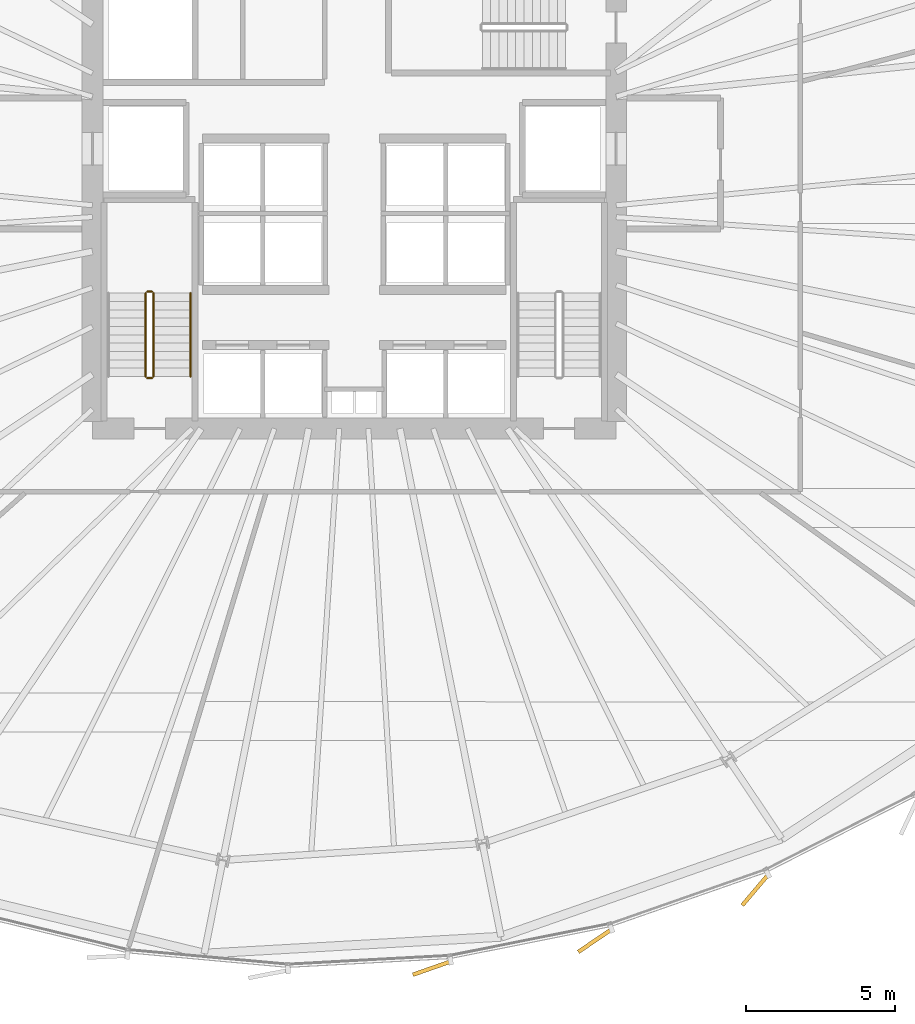
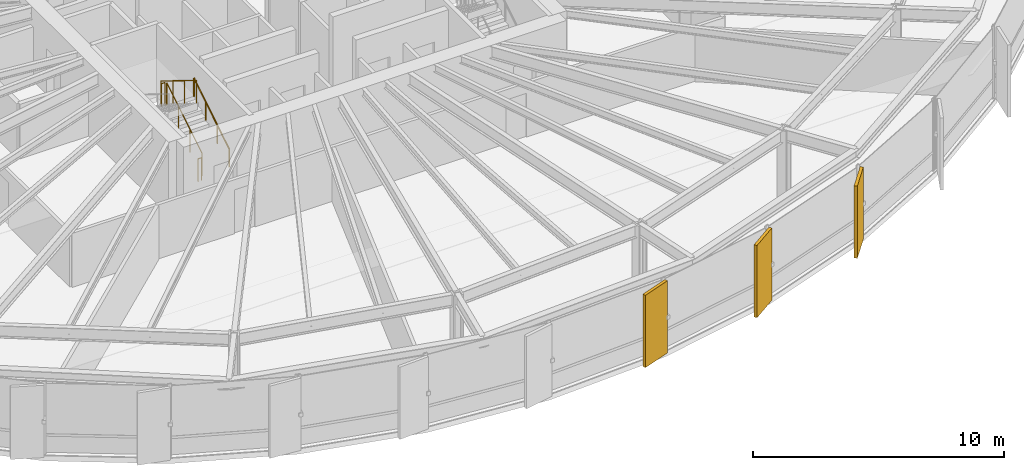
# One storey, part 34 of 37: 5 railings, 3 coverings.
"""IFC4 building model written with IfcOpenShell, lengths in metres."""

from ifc_helpers import new_model, si_unit, direction, frame, origin, origin_2d, place, context, subcontext, project, spatial, rectangle, circle, extrude, source, transform, mapped, material, layer, layer_set, type_object, element, save


model = new_model("IFC4")

# Units and contexts
model_context = context("Model", 3, precision=1e-05, world=origin(), true_north=direction((0.0, 1.0)))
body_context = subcontext(model_context, "Body", "Model", "MODEL_VIEW")
ifc_project = project(units=[si_unit("LENGTHUNIT", "METRE"), si_unit("AREAUNIT", "SQUARE_METRE"), si_unit("VOLUMEUNIT", "CUBIC_METRE"), si_unit("PLANEANGLEUNIT", "RADIAN"), si_unit("MASSUNIT", "GRAM", prefix="KILO"), si_unit("THERMODYNAMICTEMPERATUREUNIT", "KELVIN")], contexts=[model_context])

# Site, building, storey
site_placement = place(None, origin())
site = spatial("IfcSite", under=ifc_project, at=site_placement, CompositionType="ELEMENT")
building_placement = place(site_placement, origin())
building = spatial("IfcBuilding", under=site, at=building_placement, Name="Kethvar Cultural Tower", CompositionType="ELEMENT")
storey_placement = place(building_placement, frame((0.0, 0.0, 60.0)))
storey = spatial("IfcBuildingStorey", under=building, at=storey_placement, Name="L14", CompositionType="ELEMENT", Elevation=60.0)

# Railings
ifc_material_1 = material(Name="Steel S355J2", Category="steel")
railing_type_1 = type_object("IfcRailingType", Name="RL-STAIR-GUARD", PredefinedType="BALUSTRADE", material=ifc_material_1)
railing_1_placement = place(storey_placement, frame((40.050048828125, 21.85009765625, 0.172607421875)))
element("IfcRailing", 1, at=railing_1_placement, inside=storey, type_object=railing_type_1, Name="L14 ST-01 stair guard 1", PredefinedType="BALUSTRADE", context=body_context, shape_type="SweptSolid", body=[
    extrude(circle(Radius=0.02392578125, at=origin_2d()), frame((0.0, 0.0, 1.09619140625), z_axis=(0.0, 0.851069175582, 0.525053576669), x_axis=(-1.0, 0.0, 0.0)), (0.0, 0.0, 1.0), 3.289794921875),
    extrude(circle(Radius=0.02099609375, at=origin_2d()), origin(), (0.0, 0.0, 1.0), 1.072021484375),
    extrude(circle(Radius=0.02099609375, at=origin_2d()), frame((0.0, 0.933349609375, 0.57568359375)), (0.0, 0.0, 1.0), 1.072021484375),
    extrude(circle(Radius=0.02099609375, at=origin_2d()), frame((0.0, 1.866455078125, 1.151611328125)), (0.0, 0.0, 1.0), 1.072021484375),
    extrude(circle(Radius=0.02099609375, at=origin_2d()), frame((0.0, 2.7998046875, 1.727294921875)), (0.0, 0.0, 1.0), 1.072021484375),
])
railing_2_placement = place(storey_placement, frame((40.0, 24.699951171875, 1.89990234375)))
element("IfcRailing", 2, at=railing_2_placement, inside=storey, type_object=railing_type_1, Name="L14 ST-01 stair guard 2", PredefinedType="BALUSTRADE", context=body_context, shape_type="SweptSolid", body=[
    extrude(circle(Radius=0.02392578125, at=origin_2d()), frame((0.0, 0.0, 1.09619140625), z_axis=(-1.0, 0.0, 0.0), x_axis=(0.0, -1.0, 0.0)), (0.0, 0.0, 1.0), 0.159912109375),
    extrude(circle(Radius=0.02099609375, at=origin_2d()), origin(), (0.0, 0.0, 1.0), 1.072021484375),
    extrude(circle(Radius=0.02099609375, at=origin_2d()), frame((-0.159912109375, 0.0, 0.0)), (0.0, 0.0, 1.0), 1.072021484375),
])
railing_3_placement = place(storey_placement, frame((39.7900390625, 24.64990234375, 2.07275390625)))
element("IfcRailing", 3, at=railing_3_placement, inside=storey, type_object=railing_type_1, Name="L14 ST-01 stair guard 3", PredefinedType="BALUSTRADE", context=body_context, shape_type="SweptSolid", body=[
    extrude(circle(Radius=0.02392578125, at=origin_2d()), frame((0.0, 0.0, 1.09619140625), z_axis=(0.0, -0.851069175582, 0.525053576669), x_axis=(1.0, 0.0, 0.0)), (0.0, 0.0, 1.0), 3.289794921875),
    extrude(circle(Radius=0.02099609375, at=origin_2d()), origin(), (0.0, 0.0, 1.0), 1.072021484375),
    extrude(circle(Radius=0.02099609375, at=origin_2d()), frame((0.0, -0.933349609375, 0.57568359375)), (0.0, 0.0, 1.0), 1.072021484375),
    extrude(circle(Radius=0.02099609375, at=origin_2d()), frame((0.0, -1.866455078125, 1.151611328125)), (0.0, 0.0, 1.0), 1.072021484375),
    extrude(circle(Radius=0.02099609375, at=origin_2d()), frame((0.0, -2.7998046875, 1.727294921875)), (0.0, 0.0, 1.0), 1.072021484375),
])
railing_4_placement = place(storey_placement, frame((40.0, 21.800048828125, 0.0)))
element("IfcRailing", 4, at=railing_4_placement, inside=storey, type_object=railing_type_1, Name="L14 ST-01 stair guard 4", PredefinedType="BALUSTRADE", context=body_context, shape_type="SweptSolid", body=[
    extrude(circle(Radius=0.02392578125, at=origin_2d()), frame((0.0, 0.0, 1.09619140625), z_axis=(-1.0, 0.0, 0.0), x_axis=(0.0, -1.0, 0.0)), (0.0, 0.0, 1.0), 0.159912109375),
    extrude(circle(Radius=0.02099609375, at=origin_2d()), origin(), (0.0, 0.0, 1.0), 1.072021484375),
    extrude(circle(Radius=0.02099609375, at=origin_2d()), frame((-0.159912109375, 0.0, 0.0)), (0.0, 0.0, 1.0), 1.072021484375),
])
railing_type_2 = type_object("IfcRailingType", Name="RL-STAIR-HANDRAIL", PredefinedType="HANDRAIL", material=ifc_material_1)
railing_5_placement = place(storey_placement, frame((41.300048828125, 21.85009765625, 0.172607421875)))
element("IfcRailing", 5, at=railing_5_placement, inside=storey, type_object=railing_type_2, Name="L14 ST-01 stair handrail 1", PredefinedType="HANDRAIL", context=body_context, shape_type="SweptSolid", body=[
    extrude(circle(Radius=0.02392578125, at=origin_2d()), frame((0.0, 0.0, 0.8759765625), z_axis=(0.0, 0.851069175582, 0.525053576669), x_axis=(-1.0, 0.0, 0.0)), (0.0, 0.0, 1.0), 3.289794921875),
    extrude(circle(Radius=0.02099609375, at=origin_2d()), origin(), (0.0, 0.0, 1.0), 0.851806640625),
    extrude(circle(Radius=0.02099609375, at=origin_2d()), frame((0.0, 0.933349609375, 0.57568359375)), (0.0, 0.0, 1.0), 0.851806640625),
    extrude(circle(Radius=0.02099609375, at=origin_2d()), frame((0.0, 1.866455078125, 1.151611328125)), (0.0, 0.0, 1.0), 0.851806640625),
    extrude(circle(Radius=0.02099609375, at=origin_2d()), frame((0.0, 2.7998046875, 1.727294921875)), (0.0, 0.0, 1.0), 0.851806640625),
])

# Coverings
ifc_material_2 = material(Name="Extruded Architectural Terracotta", Category="masonry")
ifc_layer = layer(ifc_material_2, 0.135009765625, Name="Extruded Architectural Terracotta", Category="masonry")
ifc_layer_set = layer_set([ifc_layer], Name="Extruded Architectural Terracotta (135 mm)")
covering_type = type_object("IfcCoveringType", Name="Terracotta Facade Fin FIN-01", PredefinedType="CLADDING", material=ifc_layer_set)
shared_shape = source(origin(), body_context, "Body", "SweptSolid", [
    extrude(rectangle(XDim=1.35009765625, YDim=0.135009765625, at=origin_2d()), origin(), (0.0, 0.0, 1.0), 3.510009765625),
])
for number, where, z_axis, x_axis, name in (
    (6, (49.4033203125, 1.9716796875, 0.02001953125), (0.0, 0.0, 1.0), (-0.943916265369, -0.330184923902, 0.0), "L14 Vertical Terracotta Fin 5.4"),
    (7, (54.88525390625, 2.89453125, 0.02001953125), (0.0, 0.0, 1.0), (-0.828158171974, -0.560494462233, 0.0), "L14 Vertical Terracotta Fin 5.5"),
    (8, (60.2705078125, 4.595703125, 0.02001953125), (0.0, 0.0, 1.0), (-0.646257178997, -0.76311968825, 0.0), "L14 Vertical Terracotta Fin 5.6"),
):
    element("IfcCovering", number, at=place(storey_placement, frame(where, z_axis=z_axis, x_axis=x_axis)), inside=storey, type_object=covering_type, Name=name, PredefinedType="CLADDING", context=body_context, shape_type="MappedRepresentation", body=[
        mapped(shared_shape, transform((0.0, 0.0, 0.0), scale=1.0)),
    ])

save(model, "model.ifc")
